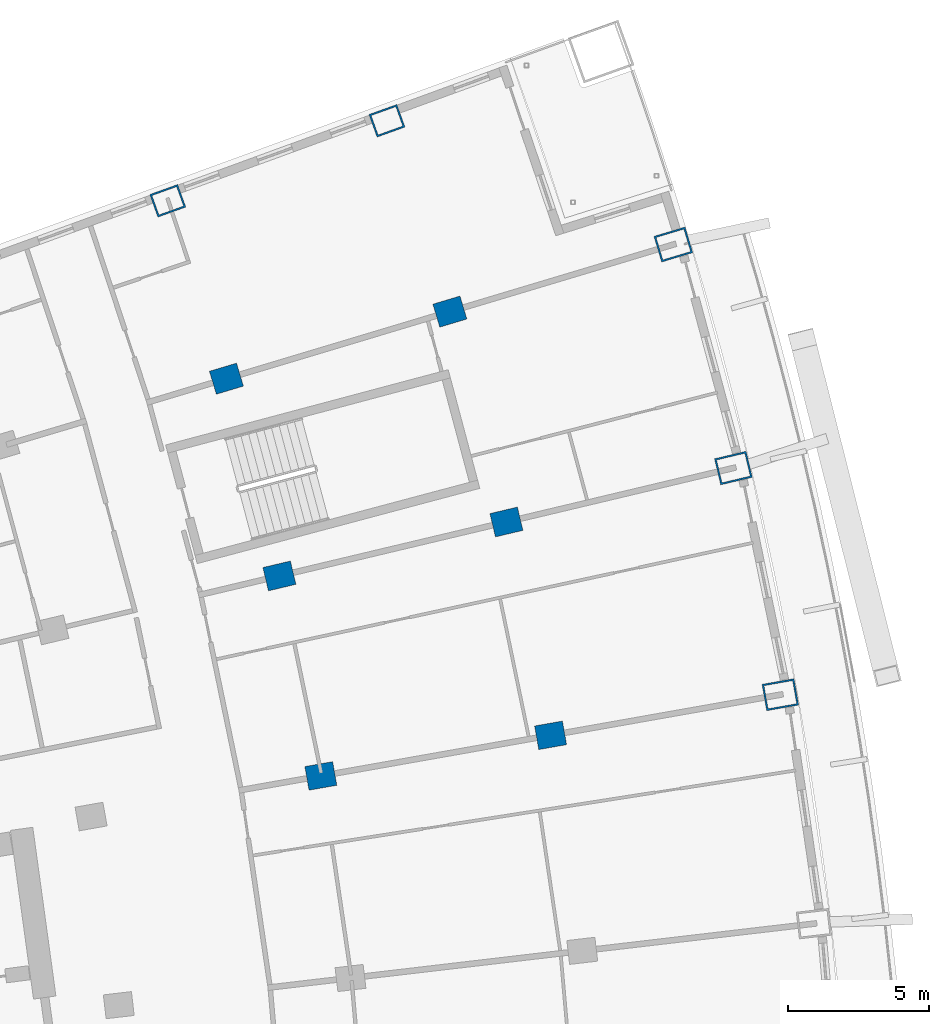
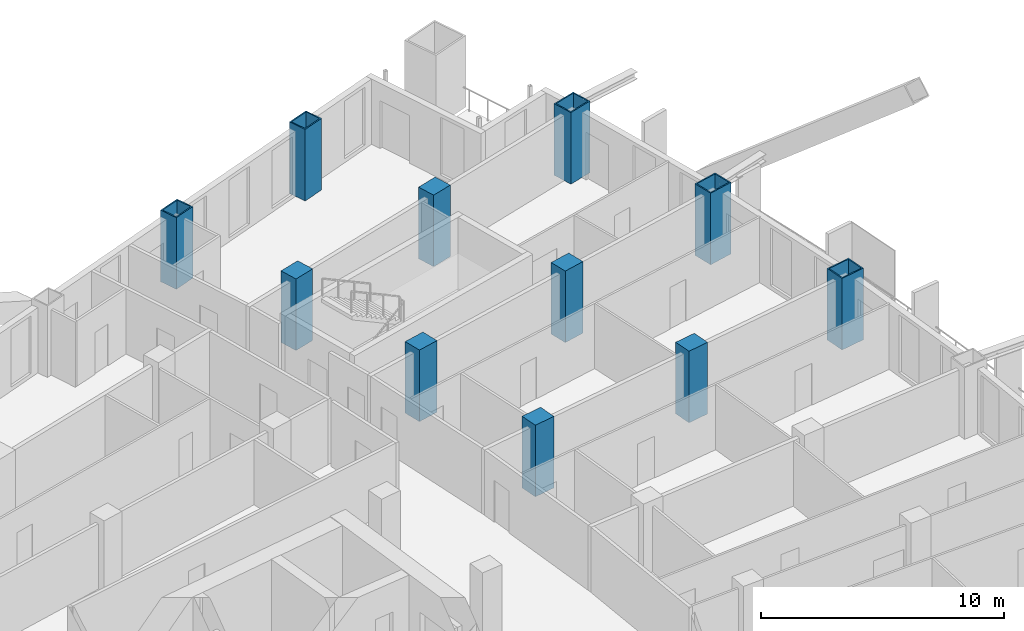
# One storey, part 10 of 25: 11 columns.
"""IFC4 building model written with IfcOpenShell, lengths in metres."""

from ifc_helpers import new_model, si_unit, direction, frame, origin, origin_2d, place, context, subcontext, project, spatial, rectangle, hollow_rectangle, extrude, material, material_profile, profile_set, type_object, element, save


model = new_model("IFC4")

# Units and contexts
model_context = context("Model", 3, precision=1e-05, world=origin(), true_north=direction((0.0, 1.0)))
body_context = subcontext(model_context, "Body", "Model", "MODEL_VIEW")
ifc_project = project(units=[si_unit("LENGTHUNIT", "METRE"), si_unit("AREAUNIT", "SQUARE_METRE"), si_unit("VOLUMEUNIT", "CUBIC_METRE"), si_unit("PLANEANGLEUNIT", "RADIAN"), si_unit("MASSUNIT", "GRAM", prefix="KILO")], contexts=[model_context])

# Site, building, storey
site_placement = place(None, origin())
site = spatial("IfcSite", under=ifc_project, at=site_placement, CompositionType="ELEMENT")
building_placement = place(site_placement, origin())
building = spatial("IfcBuilding", under=site, at=building_placement, Name="Alderwake Tower", CompositionType="ELEMENT")
storey_placement = place(building_placement, frame((0.0, 0.0, 114.800048828125)))
storey = spatial("IfcBuildingStorey", under=building, at=storey_placement, Name="L28", CompositionType="ELEMENT", Elevation=114.800048828125)

# Columns
ifc_material_1 = material(Name="Steel ASTM A572 Grade 50 concrete filled C70/85", Category="concrete")
ifc_material_profile_1 = material_profile(ifc_material_1, hollow_rectangle(XDim=0.85009765625, YDim=1.050048828125, WallThickness=0.06005859375, at=origin_2d()), Name="BOX 1050X850X60")
ifc_profile_set_1 = profile_set([ifc_material_profile_1], Name="Steel ASTM A572 Grade 50 concrete filled C70/85")
column_type_1 = type_object("IfcColumnType", Name="End column Z2", PredefinedType="COLUMN", material=ifc_profile_set_1)
for number, where, z_axis, x_axis, name in (
    (1, (36.749267578125, 102.97802734375, 0.0), (0.0, 0.0, 1.0), (-0.338351987283, 0.941019623973, 0.0), "Column R13-C3"),
    (2, (44.514892578125, 105.812744140625, 0.0), (0.0, 0.0, 1.0), (-0.338634462954, 0.940918009446, 0.0), "Column R13-C4"),
):
    element("IfcColumn", number, at=place(storey_placement, frame(where, z_axis=z_axis, x_axis=x_axis)), inside=storey, type_object=column_type_1, Name=name, PredefinedType="COLUMN", context=body_context, shape_type="SweptSolid", body=[
        extrude(hollow_rectangle(XDim=0.85009765625, YDim=1.050048828125, WallThickness=0.06005859375, at=origin_2d()), origin(), (0.0, 0.0, 1.0), 3.599853515625),
    ])
ifc_material_2 = material(Name="Concrete C70/85", Category="concrete")
ifc_material_profile_2 = material_profile(ifc_material_2, rectangle(XDim=0.85009765625, YDim=1.0, at=origin_2d()), Name="RC 1000X850")
ifc_profile_set_2 = profile_set([ifc_material_profile_2], Name="Concrete C70/85")
column_type_2 = type_object("IfcColumnType", Name="Interior column Z2", PredefinedType="COLUMN", material=ifc_profile_set_2)
for number, where, z_axis, x_axis, name in (
    (3, (42.171875, 82.60107421875, 0.0), (0.0, 0.0, 1.0), (-0.174107082075, 0.984726725529, 0.0), "Column R10-C3"),
    (4, (50.31201171875, 84.040283203125, 0.0), (0.0, 0.0, 1.0), (-0.174108800747, 0.984726421654, 0.0), "Column R10-C4"),
    (5, (40.70458984375, 89.68701171875, 0.0), (0.0, 0.0, 1.0), (-0.231221547198, 0.972901123502, 0.0), "Column R11-C3"),
    (6, (48.747314453125, 91.598388671875, 0.0), (0.0, 0.0, 1.0), (-0.231221547198, 0.972901123502, 0.0), "Column R11-C4"),
    (7, (38.826904296875, 96.67529296875, 0.0), (0.0, 0.0, 1.0), (-0.287547746508, 0.957766304209, 0.0), "Column R12-C3"),
    (8, (46.744384765625, 99.05224609375, 0.0), (0.0, 0.0, 1.0), (-0.287549418125, 0.957765802342, 0.0), "Column R12-C4"),
):
    element("IfcColumn", number, at=place(storey_placement, frame(where, z_axis=z_axis, x_axis=x_axis)), inside=storey, type_object=column_type_2, Name=name, PredefinedType="COLUMN", context=body_context, shape_type="SweptSolid", body=[
        extrude(rectangle(XDim=0.85009765625, YDim=1.0, at=origin_2d()), origin(), (0.0, 0.0, 1.0), 3.599853515625),
    ])
ifc_material_3 = material(Name="Steel ASTM A572 Grade 50 concrete filled C70/85", Category="concrete")
ifc_material_profile_3 = material_profile(ifc_material_3, hollow_rectangle(XDim=0.949951171875, YDim=1.14990234375, WallThickness=0.06005859375, at=origin_2d()), Name="BOX 1150X950X60")
ifc_profile_set_3 = profile_set([ifc_material_profile_3], Name="Steel ASTM A572 Grade 50 concrete filled C70/85")
column_type_3 = type_object("IfcColumnType", Name="Perimeter column Z2", PredefinedType="COLUMN", material=ifc_profile_set_3)
for number, where, z_axis, x_axis, name in (
    (9, (58.45263671875, 85.4794921875, 0.0), (0.0, 0.0, 1.0), (-0.174108800747, 0.984726421654, 0.0), "Column R10-C5"),
    (10, (56.789794921875, 93.509765625, 0.0), (0.0, 0.0, 1.0), (-0.231221547198, 0.972901123502, 0.0), "Column R11-C5"),
    (11, (54.661865234375, 101.429443359375, 0.0), (0.0, 0.0, 1.0), (-0.287549418125, 0.957765802342, 0.0), "Column R12-C5"),
):
    element("IfcColumn", number, at=place(storey_placement, frame(where, z_axis=z_axis, x_axis=x_axis)), inside=storey, type_object=column_type_3, Name=name, PredefinedType="COLUMN", context=body_context, shape_type="SweptSolid", body=[
        extrude(hollow_rectangle(XDim=0.949951171875, YDim=1.14990234375, WallThickness=0.06005859375, at=origin_2d()), origin(), (0.0, 0.0, 1.0), 3.599853515625),
    ])

save(model, "model.ifc")
